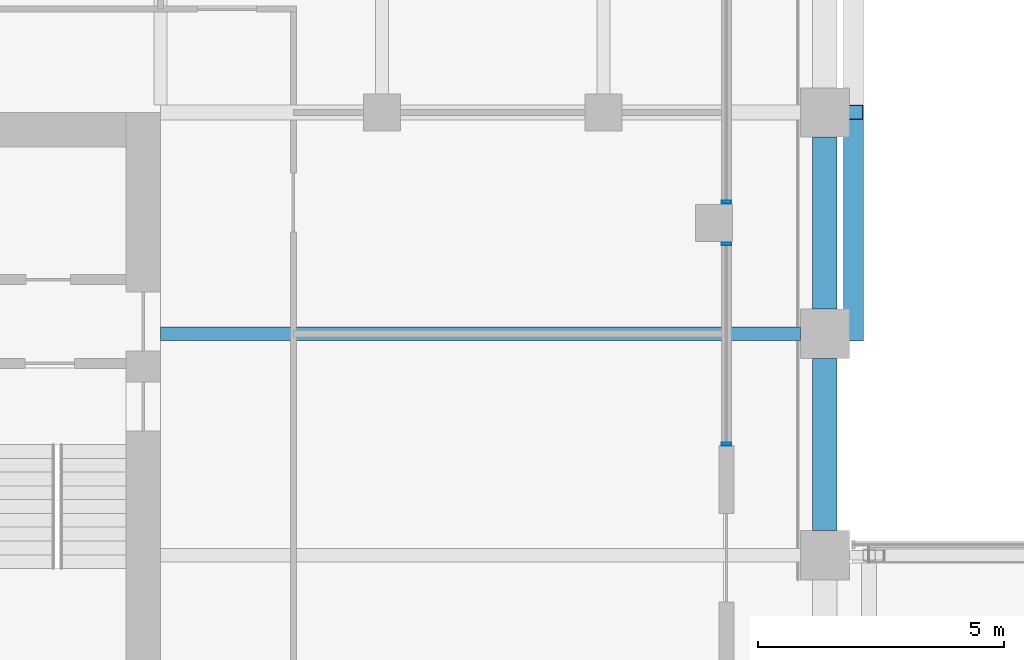
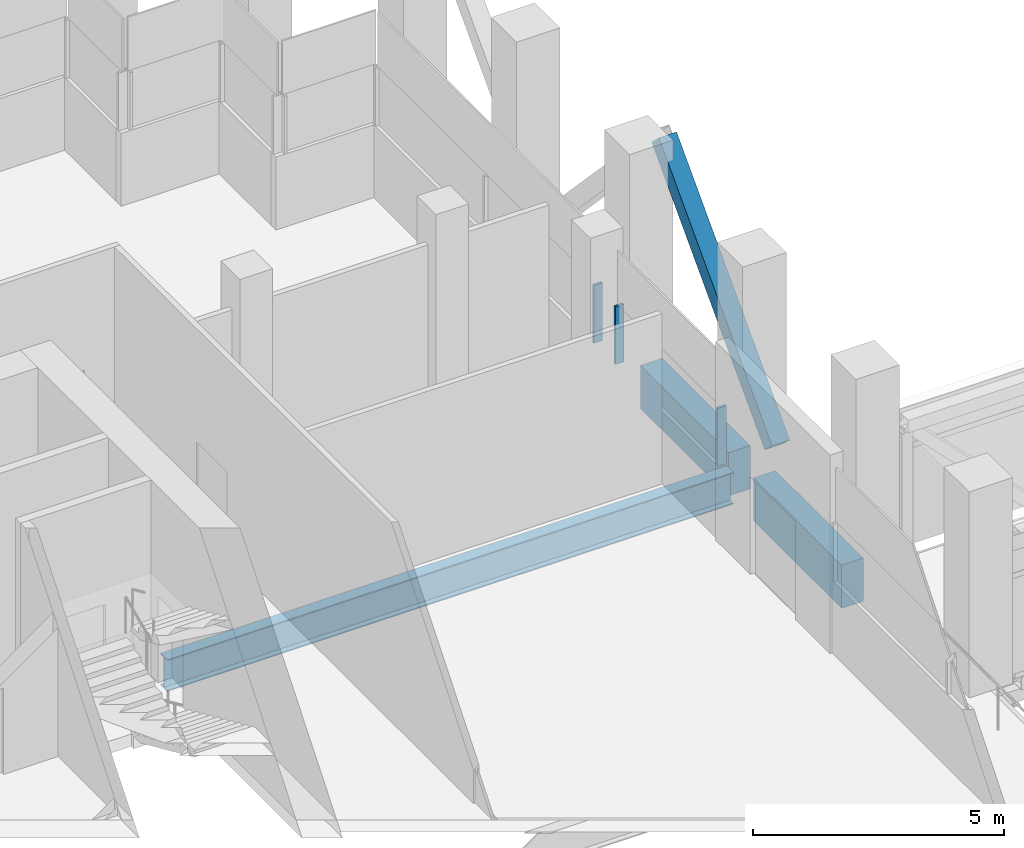
# One storey, part 12 of 48: 4 members, 3 beams, 2 elements without a shape of their own.
"""IFC4 building model written with IfcOpenShell, lengths in metres."""

from ifc_helpers import new_model, si_unit, direction, frame, origin, origin_2d, place, context, subcontext, project, spatial, rectangle, hollow_rectangle, i_section, extrude, material, material_profile, profile_set, type_object, element, aggregate, save


model = new_model("IFC4")

# Units and contexts
model_context = context("Model", 3, precision=1e-05, world=origin(), true_north=direction((0.0, 1.0)))
body_context = subcontext(model_context, "Body", "Model", "MODEL_VIEW")
ifc_project = project(units=[si_unit("LENGTHUNIT", "METRE"), si_unit("AREAUNIT", "SQUARE_METRE"), si_unit("VOLUMEUNIT", "CUBIC_METRE"), si_unit("PLANEANGLEUNIT", "RADIAN"), si_unit("MASSUNIT", "GRAM", prefix="KILO")], contexts=[model_context])

# Site, building, storey
site_placement = place(None, origin())
site = spatial("IfcSite", under=ifc_project, at=site_placement, CompositionType="ELEMENT")
building_placement = place(site_placement, origin())
building = spatial("IfcBuilding", under=site, at=building_placement, Name="Altepetl Exchange Towers", CompositionType="ELEMENT")
storey_placement = place(building_placement, frame((0.0, 0.0, 138.800048828125)))
storey = spatial("IfcBuildingStorey", under=building, at=storey_placement, Name="L34 Refuge and sky lobby", CompositionType="ELEMENT", Elevation=138.800048828125)

# Member
ifc_material_1 = material(Name="Steel S355", Category="steel")
ifc_material_profile_1 = material_profile(ifc_material_1, hollow_rectangle(XDim=0.406005859375, YDim=0.406005859375, WallThickness=0.014892578125, at=origin_2d()), Name="HSS406X406X15.9")
ifc_profile_set_1 = profile_set([ifc_material_profile_1], Name="Steel S355")
member_type_1 = type_object("IfcMemberType", Name="Belt diagonal HSS406X406X15.9", PredefinedType="BRACE", material=ifc_profile_set_1)
member_1_placement = place(storey_placement, frame((72.580078125, 54.0, 0.0), z_axis=(0.0, 0.687744647911, 0.725952683906), x_axis=(-1.0, 0.0, 0.0)))
element("IfcMember", 1, at=member_1_placement, inside=storey, type_object=member_type_1, Name="brc:A:L34:010", PredefinedType="BRACE", context=body_context, shape_type="SweptSolid", body=[
    extrude(hollow_rectangle(XDim=0.406005859375, YDim=0.406005859375, WallThickness=0.014892578125, at=origin_2d()), origin(), (0.0, 0.0, 1.0), 6.543212890625),
])

# Beam
ifc_material_profile_2 = material_profile(ifc_material_1, i_section(OverallWidth=0.26806640625, OverallDepth=0.77392578125, WebThickness=0.015380859375, FlangeThickness=0.025390625, at=origin_2d()), Name="W30X132")
ifc_profile_set_2 = profile_set([ifc_material_profile_2], Name="Steel S355")
beam_type_1 = type_object("IfcBeamType", Name="Floor beam W30X132", PredefinedType="BEAM", material=ifc_profile_set_2)
beam_placement = place(storey_placement, frame((58.5, 54.0, -0.587158203125), z_axis=(1.0, 0.0, 0.0), x_axis=(0.0, 1.0, 0.0)))
element("IfcBeam", 2, at=beam_placement, inside=storey, type_object=beam_type_1, Name="bm:A:L34:011", PredefinedType="BEAM", context=body_context, shape_type="SweptSolid", body=[
    extrude(i_section(OverallWidth=0.26806640625, OverallDepth=0.77392578125, WebThickness=0.015380859375, FlangeThickness=0.025390625, at=origin_2d()), origin(), (0.0, 0.0, 1.0), 13.0),
])

# Curtain wall, members
ifc_material_2 = material(Name="Aluminium 6063-T6 glazing", Category="aluminium")
curtain_wall_type = type_object("IfcCurtainWallType", Name="Refuge slit glazing system", PredefinedType="NOTDEFINED", material=ifc_material_2)
curtain_wall_1_placement = place(storey_placement, origin())
curtain_wall_1 = element("IfcCurtainWall", 3, at=curtain_wall_1_placement, inside=storey, type_object=curtain_wall_type, Name="CW3 run", PredefinedType="NOTDEFINED")
ifc_material_3 = material(Name="Aluminium 6063-T6", Category="aluminium")
ifc_material_profile_3 = material_profile(ifc_material_3, hollow_rectangle(XDim=0.06005859375, YDim=0.199951171875, WallThickness=0.0029296875, at=origin_2d()), Name="Mullion 60x200 aluminium")
ifc_profile_set_3 = profile_set([ifc_material_profile_3], Name="Aluminium 6063-T6")
member_type_2 = type_object("IfcMemberType", Name="Mullion 60x200 aluminium", PredefinedType="MULLION", material=ifc_profile_set_3)
member_2_placement = place(storey_placement, frame((70.0, 51.758544921875, 1.800048828125), z_axis=(0.0, 0.0, 1.0), x_axis=(0.0, 1.0, 0.0)))
member_2 = element("IfcMember", 4, at=member_2_placement, type_object=member_type_2, Name="MU2 mullion", PredefinedType="MULLION", context=body_context, shape_type="SweptSolid", body=[
    extrude(hollow_rectangle(XDim=0.06005859375, YDim=0.199951171875, WallThickness=0.0029296875, at=origin_2d()), origin(), (0.0, 0.0, 1.0), 1.39990234375),
])
member_3_placement = place(storey_placement, frame((70.0, 55.824951171875, 1.800048828125), z_axis=(0.0, 0.0, 1.0), x_axis=(0.0, 1.0, 0.0)))
member_3 = element("IfcMember", 5, at=member_3_placement, type_object=member_type_2, Name="MU2 mullion", PredefinedType="MULLION", context=body_context, shape_type="SweptSolid", body=[
    extrude(hollow_rectangle(XDim=0.06005859375, YDim=0.199951171875, WallThickness=0.0029296875, at=origin_2d()), origin(), (0.0, 0.0, 1.0), 1.39990234375),
])
aggregate(curtain_wall_1, [member_2, member_3])

# Curtain wall, member
curtain_wall_2_placement = place(storey_placement, origin())
curtain_wall_2 = element("IfcCurtainWall", 6, at=curtain_wall_2_placement, inside=storey, type_object=curtain_wall_type, Name="CW3 run", PredefinedType="NOTDEFINED")
member_4_placement = place(storey_placement, frame((70.0, 56.675048828125, 1.800048828125), z_axis=(0.0, 0.0, 1.0), x_axis=(0.0, 1.0, 0.0)))
member_4 = element("IfcMember", 7, at=member_4_placement, type_object=member_type_2, Name="MU2 mullion", PredefinedType="MULLION", context=body_context, shape_type="SweptSolid", body=[
    extrude(hollow_rectangle(XDim=0.06005859375, YDim=0.199951171875, WallThickness=0.0029296875, at=origin_2d()), origin(), (0.0, 0.0, 1.0), 1.39990234375),
])
aggregate(curtain_wall_2, [member_4])

# Beams
ifc_material_4 = material(Name="Concrete C50/60 precast with cantera amarilla facing", Category="concrete")
ifc_material_profile_4 = material_profile(ifc_material_4, rectangle(XDim=0.5, YDim=1.050048828125, at=origin_2d()), Name="500 x 1050")
ifc_profile_set_4 = profile_set([ifc_material_profile_4], Name="Concrete C50/60 precast with cantera amarilla facing")
beam_type_2 = type_object("IfcBeamType", Name="Spandrel beam 500x1050 cantera amarilla", PredefinedType="SPANDREL", material=ifc_profile_set_4)
for number, where, z_axis, x_axis, name in (
    (8, (72.0, 50.0, -0.72509765625), (0.0, 1.0, 0.0), (-1.0, 0.0, 0.0), "sp:A:L34:016"),
    (9, (72.0, 54.5, -0.72509765625), (0.0, 1.0, 0.0), (-1.0, 0.0, 0.0), "sp:A:L34:017"),
):
    element("IfcBeam", number, at=place(storey_placement, frame(where, z_axis=z_axis, x_axis=x_axis)), inside=storey, type_object=beam_type_2, Name=name, PredefinedType="SPANDREL", context=body_context, shape_type="SweptSolid", body=[
        extrude(rectangle(XDim=0.5, YDim=1.050048828125, at=origin_2d()), origin(), (0.0, 0.0, 1.0), 3.5),
    ])

save(model, "model.ifc")
